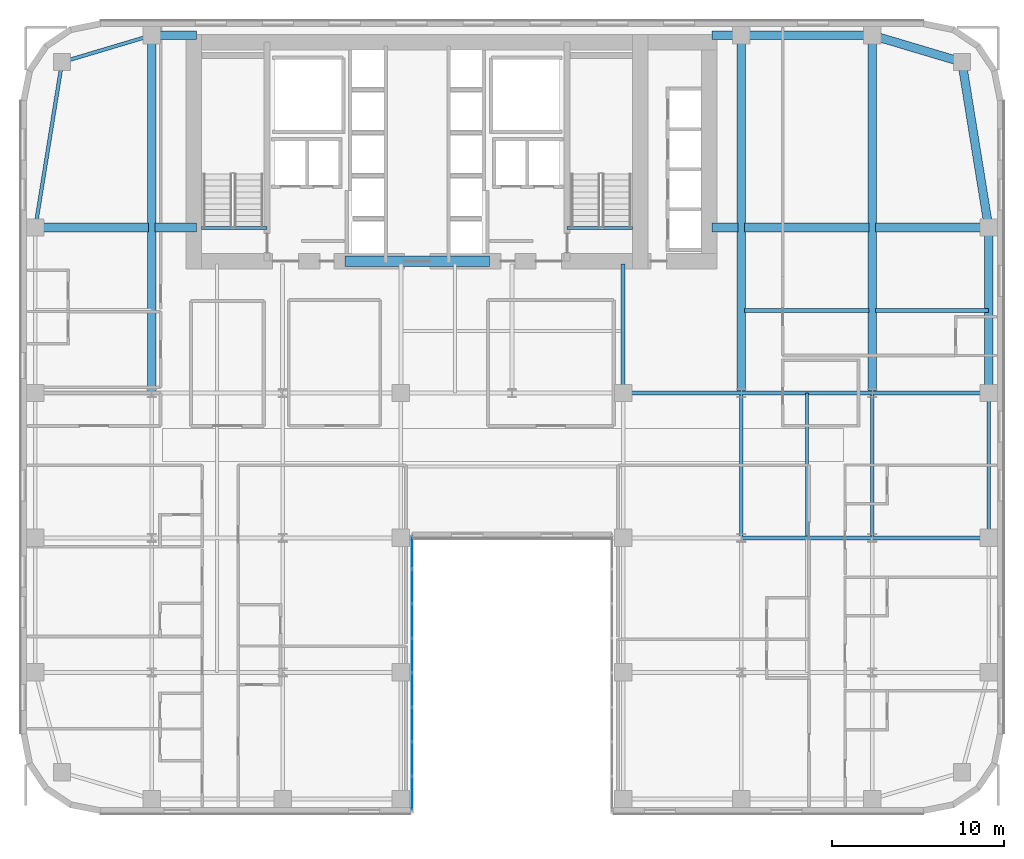
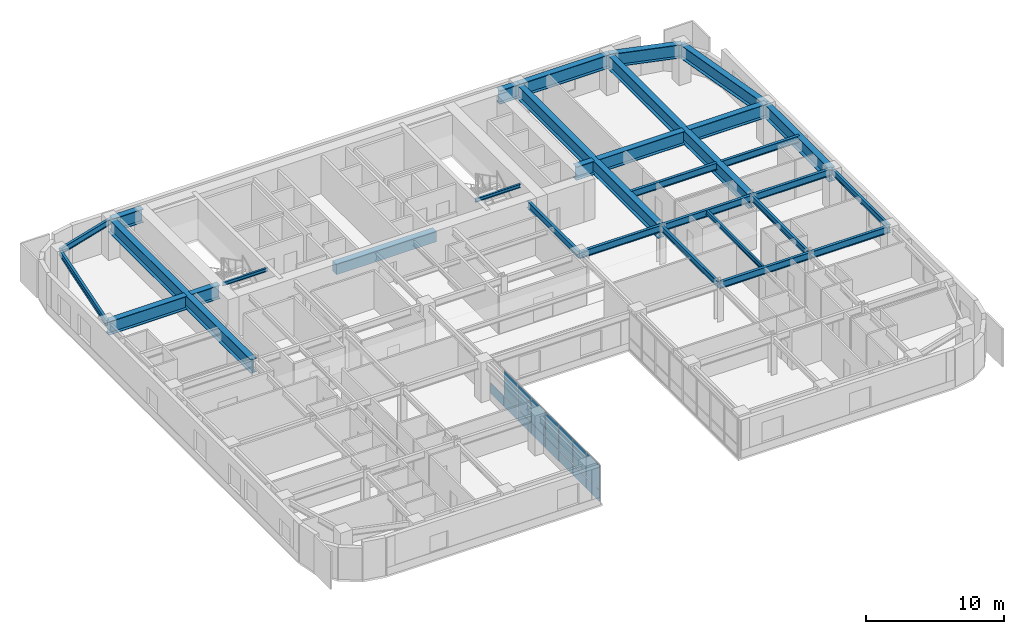
# One storey, part 12 of 25: 31 beams, 15 plates, 1 element without a shape of its own.
"""IFC4 building model written with IfcOpenShell, lengths in metres."""

from ifc_helpers import new_model, si_unit, direction, frame, origin, origin_2d, place, context, subcontext, project, spatial, rectangle, i_section, extrude, source, transform, mapped, material, layer, layer_set, material_profile, profile_set, type_object, type_shapes, element, aggregate, save


model = new_model("IFC4")

# Units and contexts
model_context = context("Model", 3, precision=1e-05, world=origin(), true_north=direction((0.0, 1.0)))
body_context = subcontext(model_context, "Body", "Model", "MODEL_VIEW")
ifc_project = project(units=[si_unit("LENGTHUNIT", "METRE"), si_unit("AREAUNIT", "SQUARE_METRE"), si_unit("VOLUMEUNIT", "CUBIC_METRE"), si_unit("PLANEANGLEUNIT", "RADIAN"), si_unit("MASSUNIT", "GRAM", prefix="KILO")], contexts=[model_context])

# Site, building, storey
site_placement = place(None, origin())
site = spatial("IfcSite", under=ifc_project, at=site_placement, CompositionType="ELEMENT")
building_placement = place(site_placement, origin())
building = spatial("IfcBuilding", under=site, at=building_placement, Name="Tolvann Quenvar Hotel", CompositionType="ELEMENT")
storey_placement = place(building_placement, frame((0.0, 0.0, 60.39990234375)))
storey = spatial("IfcBuildingStorey", under=building, at=storey_placement, Name="L14", CompositionType="ELEMENT", Elevation=60.39990234375)

# Beams
ifc_material_1 = material(Name="Concrete N50 (50 MPa)", Category="concrete")
ifc_material_profile_1 = material_profile(ifc_material_1, rectangle(XDim=0.60009765625, YDim=0.89990234375, at=origin_2d()), Name="RC600x900")
ifc_profile_set_1 = profile_set([ifc_material_profile_1], Name="Concrete N50 (50 MPa)")
beam_type_1 = type_object("IfcBeamType", Name="BM_LINT_RC600x900", PredefinedType="LINTEL", material=ifc_profile_set_1)
shared_shape_1 = source(origin(), body_context, "Body", "SweptSolid", [
    extrude(rectangle(XDim=0.60009765625, YDim=0.89990234375, at=origin_2d()), origin(), (0.0, 0.0, 1.0), 8.39990234375),
])
type_shapes(beam_type_1, [shared_shape_1])
beam_1_placement = place(storey_placement, frame((18.800048828125, 32.050048828125, 2.920166015625), z_axis=(1.0, 0.0, 0.0), x_axis=(0.0, 1.0, 0.0)))
element("IfcBeam", 1, at=beam_1_placement, inside=storey, type_object=beam_type_1, Name="Core Coupling Lintel Beam (L14)", PredefinedType="LINTEL", context=body_context, shape_type="MappedRepresentation", body=[
    mapped(shared_shape_1, transform((0.0, 0.0, 0.0), x_axis=(1.0, 0.0, 0.0), y_axis=(0.0, 1.0, 0.0), z_axis=(0.0, 0.0, 1.0), scale=1.0)),
])
ifc_material_2 = material(Name="Steel Grade 350", Category="steel")
ifc_material_profile_2 = material_profile(ifc_material_2, i_section(OverallWidth=0.5, OverallDepth=1.199951171875, WebThickness=0.01611328125, FlangeThickness=0.0400390625, at=origin_2d()), Name="1200WB455")
ifc_profile_set_2 = profile_set([ifc_material_profile_2], Name="Steel Grade 350")
beam_type_2 = type_object("IfcBeamType", Name="BM_TG_1200WB455", PredefinedType="USERDEFINED", material=ifc_profile_set_2)
shared_shape_2 = source(origin(), body_context, "Body", "SweptSolid", [
    extrude(i_section(OverallWidth=0.5, OverallDepth=1.199951171875, WebThickness=0.01611328125, FlangeThickness=0.0400390625, at=origin_2d()), origin(), (0.0, 0.0, 1.0), 7.599853515625),
])
beam_2_placement = place(storey_placement, frame((49.39990234375, 45.14990234375, 2.77001953125), z_axis=(-1.0, 0.0, 0.0), x_axis=(0.0, -1.0, 0.0)))
element("IfcBeam", 2, at=beam_2_placement, inside=storey, type_object=beam_type_2, Name="BM-L14-FLK-E4", ObjectType="TRANSFER GIRDER", PredefinedType="USERDEFINED", context=body_context, shape_type="MappedRepresentation", body=[
    mapped(shared_shape_2, transform((0.0, 0.0, 0.0), x_axis=(1.0, 0.0, 0.0), y_axis=(0.0, 1.0, 0.0), z_axis=(0.0, 0.0, 1.0), scale=1.0)),
])
shared_shape_3 = source(origin(), body_context, "Body", "SweptSolid", [
    extrude(i_section(OverallWidth=0.5, OverallDepth=1.199951171875, WebThickness=0.01611328125, FlangeThickness=0.0400390625, at=origin_2d()), origin(), (0.0, 0.0, 1.0), 9.60009765625),
])
beam_3_placement = place(storey_placement, frame((56.14990234375, 24.39990234375, 2.77001953125), z_axis=(0.0, 1.0, 0.0), x_axis=(-1.0, 0.0, 0.0)))
element("IfcBeam", 3, at=beam_3_placement, inside=storey, type_object=beam_type_2, Name="BM-L14-FLK-E1", ObjectType="TRANSFER GIRDER", PredefinedType="USERDEFINED", context=body_context, shape_type="MappedRepresentation", body=[
    mapped(shared_shape_3, transform((0.0, 0.0, 0.0), x_axis=(1.0, 0.0, 0.0), y_axis=(0.0, 1.0, 0.0), z_axis=(0.0, 0.0, 1.0), scale=1.0)),
])
ifc_material_profile_3 = material_profile(ifc_material_2, i_section(OverallWidth=0.208984375, OverallDepth=0.528076171875, WebThickness=0.009521484375, FlangeThickness=0.01318359375, FilletRadius=0.013916015625, at=origin_2d()), Name="530UB82")
ifc_profile_set_3 = profile_set([ifc_material_profile_3], Name="Steel Grade 350")
beam_type_3 = type_object("IfcBeamType", Name="BM_SPAND_530UB82", PredefinedType="SPANDREL", material=ifc_profile_set_3)
shared_shape_4 = source(origin(), body_context, "Body", "SweptSolid", [
    extrude(i_section(OverallWidth=0.208984375, OverallDepth=0.528076171875, WebThickness=0.009521484375, FlangeThickness=0.01318359375, FilletRadius=0.013916015625, at=origin_2d()), origin(), (0.0, 0.0, 1.0), 5.42626953125),
])
beam_4_placement = place(storey_placement, frame((2.39990234375, 43.60009765625, 3.106201171875), z_axis=(0.958344815522, 0.285613750654, 0.0), x_axis=(-0.285613750654, 0.958344815522, 0.0)))
element("IfcBeam", 4, at=beam_4_placement, inside=storey, type_object=beam_type_3, Name="BM-L14-FLK-W3", PredefinedType="SPANDREL", context=body_context, shape_type="MappedRepresentation", body=[
    mapped(shared_shape_4, transform((0.0, 0.0, 0.0), x_axis=(1.0, 0.0, 0.0), y_axis=(0.0, 1.0, 0.0), z_axis=(0.0, 0.0, 1.0), scale=1.0)),
])
ifc_material_profile_4 = material_profile(ifc_material_2, i_section(OverallWidth=0.22900390625, OverallDepth=0.612060546875, WebThickness=0.011962890625, FlangeThickness=0.01953125, FilletRadius=0.013916015625, at=origin_2d()), Name="610UB125")
ifc_profile_set_4 = profile_set([ifc_material_profile_4], Name="Steel Grade 350")
beam_type_4 = type_object("IfcBeamType", Name="BM_GIRD_610UB125", PredefinedType="BEAM", material=ifc_profile_set_4)
shared_shape_5 = source(origin(), body_context, "Body", "SweptSolid", [
    extrude(i_section(OverallWidth=0.22900390625, OverallDepth=0.612060546875, WebThickness=0.011962890625, FlangeThickness=0.01953125, FilletRadius=0.013916015625, at=origin_2d()), origin(), (0.0, 0.0, 1.0), 6.75),
])
for number, where, z_axis, x_axis, name in (
    (5, (49.39990234375, 16.0, 3.064208984375), (1.0, 0.0, 0.0), (0.0, 1.0, 0.0), "BM-L14-EW-4-I4-J4"),
    (6, (49.39990234375, 24.39990234375, 3.064208984375), (1.0, 0.0, 0.0), (0.0, 1.0, 0.0), "BM-L14-EW-5-I5-J5"),
):
    element("IfcBeam", number, at=place(storey_placement, frame(where, z_axis=z_axis, x_axis=x_axis)), inside=storey, type_object=beam_type_4, Name=name, PredefinedType="BEAM", context=body_context, shape_type="MappedRepresentation", body=[
        mapped(shared_shape_5, transform((0.0, 0.0, 0.0), x_axis=(1.0, 0.0, 0.0), y_axis=(0.0, 1.0, 0.0), z_axis=(0.0, 0.0, 1.0), scale=1.0)),
    ])
shared_shape_6 = source(origin(), body_context, "Body", "SweptSolid", [
    extrude(i_section(OverallWidth=0.22900390625, OverallDepth=0.612060546875, WebThickness=0.011962890625, FlangeThickness=0.01953125, FilletRadius=0.013916015625, at=origin_2d()), origin(), (0.0, 0.0, 1.0), 7.599853515625),
])
for number, where, z_axis, x_axis, name in (
    (7, (41.800048828125, 16.0, 3.064208984375), (1.0, 0.0, 0.0), (0.0, 1.0, 0.0), "BM-L14-EW-4-H4-I4"),
    (8, (41.800048828125, 24.39990234375, 3.064208984375), (1.0, 0.0, 0.0), (0.0, 1.0, 0.0), "BM-L14-EW-5-H5-I5"),
):
    element("IfcBeam", number, at=place(storey_placement, frame(where, z_axis=z_axis, x_axis=x_axis)), inside=storey, type_object=beam_type_4, Name=name, PredefinedType="BEAM", context=body_context, shape_type="MappedRepresentation", body=[
        mapped(shared_shape_6, transform((0.0, 0.0, 0.0), x_axis=(1.0, 0.0, 0.0), y_axis=(0.0, 1.0, 0.0), z_axis=(0.0, 0.0, 1.0), scale=1.0)),
    ])
shared_shape_7 = source(origin(), body_context, "Body", "SweptSolid", [
    extrude(i_section(OverallWidth=0.22900390625, OverallDepth=0.612060546875, WebThickness=0.011962890625, FlangeThickness=0.01953125, FilletRadius=0.013916015625, at=origin_2d()), origin(), (0.0, 0.0, 1.0), 6.85009765625),
])
beam_5_placement = place(storey_placement, frame((34.949951171875, 24.39990234375, 3.064208984375), z_axis=(1.0, 0.0, 0.0), x_axis=(0.0, 1.0, 0.0)))
element("IfcBeam", 9, at=beam_5_placement, inside=storey, type_object=beam_type_4, Name="BM-L14-EW-5-F5-H5", PredefinedType="BEAM", context=body_context, shape_type="MappedRepresentation", body=[
    mapped(shared_shape_7, transform((0.0, 0.0, 0.0), x_axis=(1.0, 0.0, 0.0), y_axis=(0.0, 1.0, 0.0), z_axis=(0.0, 0.0, 1.0), scale=1.0)),
])
shared_shape_8 = source(origin(), body_context, "Body", "SweptSolid", [
    extrude(i_section(OverallWidth=0.208984375, OverallDepth=0.528076171875, WebThickness=0.009521484375, FlangeThickness=0.01318359375, FilletRadius=0.013916015625, at=origin_2d()), origin(), (0.0, 0.0, 1.0), 8.39990234375),
])
beam_6_placement = place(storey_placement, frame((56.14990234375, 16.0, 3.106201171875), z_axis=(0.0, 1.0, 0.0), x_axis=(-1.0, 0.0, 0.0)))
element("IfcBeam", 10, at=beam_6_placement, inside=storey, type_object=beam_type_3, Name="BM-L14-NS-J4-J5", PredefinedType="SPANDREL", context=body_context, shape_type="MappedRepresentation", body=[
    mapped(shared_shape_8, transform((0.0, 0.0, 0.0), x_axis=(1.0, 0.0, 0.0), y_axis=(0.0, 1.0, 0.0), z_axis=(0.0, 0.0, 1.0), scale=1.0)),
])
ifc_material_profile_5 = material_profile(ifc_material_2, i_section(OverallWidth=0.208984375, OverallDepth=0.532958984375, WebThickness=0.01025390625, FlangeThickness=0.015625, FilletRadius=0.013916015625, at=origin_2d()), Name="530UB92")
ifc_profile_set_5 = profile_set([ifc_material_profile_5], Name="Steel Grade 350")
beam_type_5 = type_object("IfcBeamType", Name="BM_GIRD_530UB92", PredefinedType="BEAM", material=ifc_profile_set_5)
shared_shape_9 = source(origin(), body_context, "Body", "SweptSolid", [
    extrude(i_section(OverallWidth=0.208984375, OverallDepth=0.532958984375, WebThickness=0.01025390625, FlangeThickness=0.015625, FilletRadius=0.013916015625, at=origin_2d()), origin(), (0.0, 0.0, 1.0), 8.39990234375),
])
type_shapes(beam_type_5, [shared_shape_9])
for number, where, z_axis, x_axis, name in (
    (11, (41.800048828125, 16.0, 3.103515625), (0.0, 1.0, 0.0), (-1.0, 0.0, 0.0), "BM-L14-NS-H4-H5"),
    (12, (49.39990234375, 16.0, 3.103515625), (0.0, 1.0, 0.0), (-1.0, 0.0, 0.0), "BM-L14-NS-I4-I5"),
):
    element("IfcBeam", number, at=place(storey_placement, frame(where, z_axis=z_axis, x_axis=x_axis)), inside=storey, type_object=beam_type_5, Name=name, PredefinedType="BEAM", context=body_context, shape_type="MappedRepresentation", body=[
        mapped(shared_shape_9, transform((0.0, 0.0, 0.0), x_axis=(1.0, 0.0, 0.0), y_axis=(0.0, 1.0, 0.0), z_axis=(0.0, 0.0, 1.0), scale=1.0)),
    ])
shared_shape_10 = source(origin(), body_context, "Body", "SweptSolid", [
    extrude(i_section(OverallWidth=0.22900390625, OverallDepth=0.612060546875, WebThickness=0.011962890625, FlangeThickness=0.01953125, FilletRadius=0.013916015625, at=origin_2d()), origin(), (0.0, 0.0, 1.0), 7.5),
])
beam_7_placement = place(storey_placement, frame((34.949951171875, 24.39990234375, 3.064208984375), z_axis=(0.0, 1.0, 0.0), x_axis=(-1.0, 0.0, 0.0)))
element("IfcBeam", 13, at=beam_7_placement, inside=storey, type_object=beam_type_4, Name="BM-L14-CORE-F5", PredefinedType="BEAM", context=body_context, shape_type="MappedRepresentation", body=[
    mapped(shared_shape_10, transform((0.0, 0.0, 0.0), x_axis=(1.0, 0.0, 0.0), y_axis=(0.0, 1.0, 0.0), z_axis=(0.0, 0.0, 1.0), scale=1.0)),
])
shared_shape_11 = source(origin(), body_context, "Body", "SweptSolid", [
    extrude(i_section(OverallWidth=0.208984375, OverallDepth=0.528076171875, WebThickness=0.009521484375, FlangeThickness=0.01318359375, FilletRadius=0.013916015625, at=origin_2d()), origin(), (0.0, 0.0, 1.0), 9.724365234375),
])
type_shapes(beam_type_3, [shared_shape_4, shared_shape_8, shared_shape_11])
beam_8_placement = place(storey_placement, frame((0.85009765625, 34.0, 3.106201171875), z_axis=(0.159372939192, 0.987218449105, 0.0), x_axis=(-0.987218449105, 0.159372939192, 0.0)))
element("IfcBeam", 14, at=beam_8_placement, inside=storey, type_object=beam_type_3, Name="BM-L14-FLK-W2", PredefinedType="SPANDREL", context=body_context, shape_type="MappedRepresentation", body=[
    mapped(shared_shape_11, transform((0.0, 0.0, 0.0), x_axis=(1.0, 0.0, 0.0), y_axis=(0.0, 1.0, 0.0), z_axis=(0.0, 0.0, 1.0), scale=1.0)),
])
shared_shape_12 = source(origin(), body_context, "Body", "SweptSolid", [
    extrude(i_section(OverallWidth=0.5, OverallDepth=1.199951171875, WebThickness=0.01611328125, FlangeThickness=0.0400390625, at=origin_2d()), origin(), (0.0, 0.0, 1.0), 20.75),
])
for number, where, z_axis, x_axis, name in (
    (15, (7.60009765625, 24.39990234375, 2.77001953125), (0.0, 1.0, 0.0), (-1.0, 0.0, 0.0), "BM-L14-FLK-WC"),
    (16, (41.800048828125, 24.39990234375, 2.77001953125), (0.0, 1.0, 0.0), (-1.0, 0.0, 0.0), "BM-L14-FLK-EH"),
    (17, (49.39990234375, 24.39990234375, 2.77001953125), (0.0, 1.0, 0.0), (-1.0, 0.0, 0.0), "BM-L14-FLK-EI"),
):
    element("IfcBeam", number, at=place(storey_placement, frame(where, z_axis=z_axis, x_axis=x_axis)), inside=storey, type_object=beam_type_2, Name=name, ObjectType="TRANSFER GIRDER", PredefinedType="USERDEFINED", context=body_context, shape_type="MappedRepresentation", body=[
        mapped(shared_shape_12, transform((0.0, 0.0, 0.0), x_axis=(1.0, 0.0, 0.0), y_axis=(0.0, 1.0, 0.0), z_axis=(0.0, 0.0, 1.0), scale=1.0)),
    ])
shared_shape_13 = source(origin(), body_context, "Body", "SweptSolid", [
    extrude(i_section(OverallWidth=0.5, OverallDepth=1.199951171875, WebThickness=0.01611328125, FlangeThickness=0.0400390625, at=origin_2d()), origin(), (0.0, 0.0, 1.0), 6.56982421875),
])
for number, where, z_axis, x_axis, name in (
    (18, (0.85009765625, 34.0, 2.77001953125), (1.0, 0.0, 0.0), (0.0, 1.0, 0.0), "BM-L14-CTW-MID1"),
    (19, (49.580078125, 34.0, 2.77001953125), (1.0, 0.0, 0.0), (0.0, 1.0, 0.0), "BM-L14-CTE-JD6C"),
):
    element("IfcBeam", number, at=place(storey_placement, frame(where, z_axis=z_axis, x_axis=x_axis)), inside=storey, type_object=beam_type_2, Name=name, ObjectType="TRANSFER GIRDER", PredefinedType="USERDEFINED", context=body_context, shape_type="MappedRepresentation", body=[
        mapped(shared_shape_13, transform((0.0, 0.0, 0.0), x_axis=(1.0, 0.0, 0.0), y_axis=(0.0, 1.0, 0.0), z_axis=(0.0, 0.0, 1.0), scale=1.0)),
    ])
shared_shape_14 = source(origin(), body_context, "Body", "SweptSolid", [
    extrude(i_section(OverallWidth=0.5, OverallDepth=1.199951171875, WebThickness=0.01611328125, FlangeThickness=0.0400390625, at=origin_2d()), origin(), (0.0, 0.0, 1.0), 2.419921875),
])
beam_9_placement = place(storey_placement, frame((7.780029296875, 34.0, 2.77001953125), z_axis=(1.0, 0.0, 0.0), x_axis=(0.0, 1.0, 0.0)))
element("IfcBeam", 20, at=beam_9_placement, inside=storey, type_object=beam_type_2, Name="BM-L14-CTW-MID2", ObjectType="TRANSFER GIRDER", PredefinedType="USERDEFINED", context=body_context, shape_type="MappedRepresentation", body=[
    mapped(shared_shape_14, transform((0.0, 0.0, 0.0), x_axis=(1.0, 0.0, 0.0), y_axis=(0.0, 1.0, 0.0), z_axis=(0.0, 0.0, 1.0), scale=1.0)),
])
shared_shape_15 = source(origin(), body_context, "Body", "SweptSolid", [
    extrude(i_section(OverallWidth=0.5, OverallDepth=1.199951171875, WebThickness=0.01611328125, FlangeThickness=0.0400390625, at=origin_2d()), origin(), (0.0, 0.0, 1.0), 2.599853515625),
])
beam_10_placement = place(storey_placement, frame((7.60009765625, 45.14990234375, 2.77001953125), z_axis=(1.0, 0.0, 0.0), x_axis=(0.0, 1.0, 0.0)))
element("IfcBeam", 21, at=beam_10_placement, inside=storey, type_object=beam_type_2, Name="BM-L14-CTW-CN", ObjectType="TRANSFER GIRDER", PredefinedType="USERDEFINED", context=body_context, shape_type="MappedRepresentation", body=[
    mapped(shared_shape_15, transform((0.0, 0.0, 0.0), x_axis=(1.0, 0.0, 0.0), y_axis=(0.0, 1.0, 0.0), z_axis=(0.0, 0.0, 1.0), scale=1.0)),
])
shared_shape_16 = source(origin(), body_context, "Body", "SweptSolid", [
    extrude(i_section(OverallWidth=0.5, OverallDepth=1.199951171875, WebThickness=0.01611328125, FlangeThickness=0.0400390625, at=origin_2d()), origin(), (0.0, 0.0, 1.0), 9.724365234375),
])
beam_11_placement = place(storey_placement, frame((56.14990234375, 34.0, 2.77001953125), z_axis=(-0.159372939192, 0.987218449105, 0.0), x_axis=(-0.987218449105, -0.159372939192, 0.0)))
element("IfcBeam", 22, at=beam_11_placement, inside=storey, type_object=beam_type_2, Name="BM-L14-FLK-E2", ObjectType="TRANSFER GIRDER", PredefinedType="USERDEFINED", context=body_context, shape_type="MappedRepresentation", body=[
    mapped(shared_shape_16, transform((0.0, 0.0, 0.0), x_axis=(1.0, 0.0, 0.0), y_axis=(0.0, 1.0, 0.0), z_axis=(0.0, 0.0, 1.0), scale=1.0)),
])
shared_shape_17 = source(origin(), body_context, "Body", "SweptSolid", [
    extrude(i_section(OverallWidth=0.5, OverallDepth=1.199951171875, WebThickness=0.01611328125, FlangeThickness=0.0400390625, at=origin_2d()), origin(), (0.0, 0.0, 1.0), 5.42626953125),
])
beam_12_placement = place(storey_placement, frame((54.60009765625, 43.60009765625, 2.77001953125), z_axis=(-0.958344815522, 0.285613750654, 0.0), x_axis=(-0.285613750654, -0.958344815522, 0.0)))
element("IfcBeam", 23, at=beam_12_placement, inside=storey, type_object=beam_type_2, Name="BM-L14-FLK-E3", ObjectType="TRANSFER GIRDER", PredefinedType="USERDEFINED", context=body_context, shape_type="MappedRepresentation", body=[
    mapped(shared_shape_17, transform((0.0, 0.0, 0.0), x_axis=(1.0, 0.0, 0.0), y_axis=(0.0, 1.0, 0.0), z_axis=(0.0, 0.0, 1.0), scale=1.0)),
])
shared_shape_18 = source(origin(), body_context, "Body", "SweptSolid", [
    extrude(i_section(OverallWidth=0.5, OverallDepth=1.199951171875, WebThickness=0.01611328125, FlangeThickness=0.0400390625, at=origin_2d()), origin(), (0.0, 0.0, 1.0), 1.699951171875),
])
beam_13_placement = place(storey_placement, frame((40.10009765625, 45.14990234375, 2.77001953125), z_axis=(1.0, 0.0, 0.0), x_axis=(0.0, 1.0, 0.0)))
element("IfcBeam", 24, at=beam_13_placement, inside=storey, type_object=beam_type_2, Name="BM-L14-CTE-HN", ObjectType="TRANSFER GIRDER", PredefinedType="USERDEFINED", context=body_context, shape_type="MappedRepresentation", body=[
    mapped(shared_shape_18, transform((0.0, 0.0, 0.0), x_axis=(1.0, 0.0, 0.0), y_axis=(0.0, 1.0, 0.0), z_axis=(0.0, 0.0, 1.0), scale=1.0)),
])
shared_shape_19 = source(origin(), body_context, "Body", "SweptSolid", [
    extrude(i_section(OverallWidth=0.5, OverallDepth=1.199951171875, WebThickness=0.01611328125, FlangeThickness=0.0400390625, at=origin_2d()), origin(), (0.0, 0.0, 1.0), 1.52001953125),
])
beam_14_placement = place(storey_placement, frame((40.10009765625, 34.0, 2.77001953125), z_axis=(1.0, 0.0, 0.0), x_axis=(0.0, 1.0, 0.0)))
element("IfcBeam", 25, at=beam_14_placement, inside=storey, type_object=beam_type_2, Name="BM-L14-CTE-JD6A", ObjectType="TRANSFER GIRDER", PredefinedType="USERDEFINED", context=body_context, shape_type="MappedRepresentation", body=[
    mapped(shared_shape_19, transform((0.0, 0.0, 0.0), x_axis=(1.0, 0.0, 0.0), y_axis=(0.0, 1.0, 0.0), z_axis=(0.0, 0.0, 1.0), scale=1.0)),
])
shared_shape_20 = source(origin(), body_context, "Body", "SweptSolid", [
    extrude(i_section(OverallWidth=0.5, OverallDepth=1.199951171875, WebThickness=0.01611328125, FlangeThickness=0.0400390625, at=origin_2d()), origin(), (0.0, 0.0, 1.0), 7.239990234375),
])
type_shapes(beam_type_2, [shared_shape_2, shared_shape_3, shared_shape_12, shared_shape_13, shared_shape_14, shared_shape_15, shared_shape_16, shared_shape_17, shared_shape_18, shared_shape_19, shared_shape_20])
beam_15_placement = place(storey_placement, frame((41.97998046875, 34.0, 2.77001953125), z_axis=(1.0, 0.0, 0.0), x_axis=(0.0, 1.0, 0.0)))
element("IfcBeam", 26, at=beam_15_placement, inside=storey, type_object=beam_type_2, Name="BM-L14-CTE-JD6B", ObjectType="TRANSFER GIRDER", PredefinedType="USERDEFINED", context=body_context, shape_type="MappedRepresentation", body=[
    mapped(shared_shape_20, transform((0.0, 0.0, 0.0), x_axis=(1.0, 0.0, 0.0), y_axis=(0.0, 1.0, 0.0), z_axis=(0.0, 0.0, 1.0), scale=1.0)),
])
shared_shape_21 = source(origin(), body_context, "Body", "SweptSolid", [
    extrude(i_section(OverallWidth=0.22900390625, OverallDepth=0.612060546875, WebThickness=0.011962890625, FlangeThickness=0.01953125, FilletRadius=0.013916015625, at=origin_2d()), origin(), (0.0, 0.0, 1.0), 7.239990234375),
])
beam_16_placement = place(storey_placement, frame((41.97998046875, 29.199951171875, 3.064208984375), z_axis=(1.0, 0.0, 0.0), x_axis=(0.0, 1.0, 0.0)))
element("IfcBeam", 27, at=beam_16_placement, inside=storey, type_object=beam_type_4, Name="BM-L14-EW-HI29", PredefinedType="BEAM", context=body_context, shape_type="MappedRepresentation", body=[
    mapped(shared_shape_21, transform((0.0, 0.0, 0.0), x_axis=(1.0, 0.0, 0.0), y_axis=(0.0, 1.0, 0.0), z_axis=(0.0, 0.0, 1.0), scale=1.0)),
])
shared_shape_22 = source(origin(), body_context, "Body", "SweptSolid", [
    extrude(i_section(OverallWidth=0.22900390625, OverallDepth=0.612060546875, WebThickness=0.011962890625, FlangeThickness=0.01953125, FilletRadius=0.013916015625, at=origin_2d()), origin(), (0.0, 0.0, 1.0), 6.56982421875),
])
type_shapes(beam_type_4, [shared_shape_5, shared_shape_6, shared_shape_7, shared_shape_10, shared_shape_21, shared_shape_22])
beam_17_placement = place(storey_placement, frame((49.580078125, 29.199951171875, 3.064208984375), z_axis=(1.0, 0.0, 0.0), x_axis=(0.0, 1.0, 0.0)))
element("IfcBeam", 28, at=beam_17_placement, inside=storey, type_object=beam_type_4, Name="BM-L14-EW-IJ29", PredefinedType="BEAM", context=body_context, shape_type="MappedRepresentation", body=[
    mapped(shared_shape_22, transform((0.0, 0.0, 0.0), x_axis=(1.0, 0.0, 0.0), y_axis=(0.0, 1.0, 0.0), z_axis=(0.0, 0.0, 1.0), scale=1.0)),
])
ifc_material_profile_6 = material_profile(ifc_material_2, i_section(OverallWidth=0.177978515625, OverallDepth=0.406005859375, WebThickness=0.0078125, FlangeThickness=0.0126953125, FilletRadius=0.011474609375, at=origin_2d()), Name="410UB60")
ifc_profile_set_6 = profile_set([ifc_material_profile_6], Name="Steel Grade 350")
beam_type_6 = type_object("IfcBeamType", Name="BM_JOIST_410UB60", PredefinedType="JOIST", material=ifc_profile_set_6)
shared_shape_23 = source(origin(), body_context, "Body", "SweptSolid", [
    extrude(i_section(OverallWidth=0.177978515625, OverallDepth=0.406005859375, WebThickness=0.0078125, FlangeThickness=0.0126953125, FilletRadius=0.011474609375, at=origin_2d()), origin(), (0.0, 0.0, 1.0), 8.29150390625),
])
type_shapes(beam_type_6, [shared_shape_23])
beam_18_placement = place(storey_placement, frame((45.60009765625, 16.1083984375, 3.1669921875), z_axis=(0.0, 1.0, 0.0), x_axis=(-1.0, 0.0, 0.0)))
element("IfcBeam", 29, at=beam_18_placement, inside=storey, type_object=beam_type_6, Name="BJ-L14-456-160", PredefinedType="JOIST", context=body_context, shape_type="MappedRepresentation", body=[
    mapped(shared_shape_23, transform((0.0, 0.0, 0.0), x_axis=(1.0, 0.0, 0.0), y_axis=(0.0, 1.0, 0.0), z_axis=(0.0, 0.0, 1.0), scale=1.0)),
])
ifc_material_profile_7 = material_profile(ifc_material_2, i_section(OverallWidth=0.166015625, OverallDepth=0.306884765625, WebThickness=0.006591796875, FlangeThickness=0.01171875, FilletRadius=0.011474609375, at=origin_2d()), Name="310UB46")
ifc_profile_set_7 = profile_set([ifc_material_profile_7], Name="Steel Grade 350")
beam_type_7 = type_object("IfcBeamType", Name="BM_JOIST_310UB46", PredefinedType="JOIST", material=ifc_profile_set_7)
shared_shape_24 = source(origin(), body_context, "Body", "SweptSolid", [
    extrude(i_section(OverallWidth=0.166015625, OverallDepth=0.306884765625, WebThickness=0.006591796875, FlangeThickness=0.01171875, FilletRadius=0.011474609375, at=origin_2d()), origin(), (0.0, 0.0, 1.0), 3.800048828125),
])
type_shapes(beam_type_7, [shared_shape_24])
for number, where, z_axis, x_axis, name in (
    (30, (10.5, 33.97998046875, 3.216552734375), (1.0, 0.0, 0.0), (0.0, 1.0, 0.0), "BM-HDR-STC1-L15"),
    (31, (31.699951171875, 33.97998046875, 3.216552734375), (1.0, 0.0, 0.0), (0.0, 1.0, 0.0), "BM-HDR-STC2-L15"),
):
    element("IfcBeam", number, at=place(storey_placement, frame(where, z_axis=z_axis, x_axis=x_axis)), inside=storey, type_object=beam_type_7, Name=name, PredefinedType="JOIST", context=body_context, shape_type="MappedRepresentation", body=[
        mapped(shared_shape_24, transform((0.0, 0.0, 0.0), x_axis=(1.0, 0.0, 0.0), y_axis=(0.0, 1.0, 0.0), z_axis=(0.0, 0.0, 1.0), scale=1.0)),
    ])

# Curtain wall, plates
ifc_material_3 = material(Name="Thermally broken anodised architectural aluminium 6063-T6 and laminated low-E glass", Category="aluminium")
ifc_layer_1 = layer(ifc_material_3, 0.179931640625)
ifc_layer_set_1 = layer_set([ifc_layer_1], Name="Thermally broken anodised architectural aluminium 6063-T6 and laminated low-E glass")
curtain_wall_type = type_object("IfcCurtainWallType", Name="CW_SYS_SLOT_03", PredefinedType="USERDEFINED", material=ifc_layer_set_1)
curtain_wall_placement = place(storey_placement, origin())
curtain_wall = element("IfcCurtainWall", 32, at=curtain_wall_placement, inside=storey, type_object=curtain_wall_type, Name="Curtain Wall CW-SLOT-03 (CWR-L14-E05)", ObjectType="UNITISED CURTAIN WALL", PredefinedType="USERDEFINED")
ifc_material_4 = material(Name="Low-iron laminated double glazing with solar-control coating", Category="glass")
ifc_layer_2 = layer(ifc_material_4, 0.028076171875)
ifc_layer_set_2 = layer_set([ifc_layer_2], Name="Low-iron laminated double glazing with solar-control coating")
plate_type = type_object("IfcPlateType", Name="CW_PAN_VISION_28", PredefinedType="CURTAIN_PANEL", material=ifc_layer_set_2)
shared_shape_25 = source(origin(), body_context, "Body", "SweptSolid", [
    extrude(rectangle(XDim=1.89501953125, YDim=0.028076171875, at=origin_2d()), origin(), (0.0, 0.0, 1.0), 0.9599609375),
])
plate_1_placement = place(storey_placement, frame((22.7099609375, 1.1923828125, 0.06005859375), z_axis=(0.0, 0.0, 1.0), x_axis=(0.0, 1.0, 0.0)))
plate_1 = element("IfcPlate", 33, at=plate_1_placement, type_object=plate_type, Name="CW-SLOT-03 panel 1.1", PredefinedType="CURTAIN_PANEL", context=body_context, shape_type="MappedRepresentation", body=[
    mapped(shared_shape_25, transform((0.0, 0.0, 0.0), x_axis=(1.0, 0.0, 0.0), y_axis=(0.0, 1.0, 0.0), z_axis=(0.0, 0.0, 1.0), scale=1.0)),
])
plate_2_placement = place(storey_placement, frame((22.7099609375, 15.157470703125, 0.06005859375), z_axis=(0.0, 0.0, 1.0), x_axis=(0.0, 1.0, 0.0)))
plate_2 = element("IfcPlate", 34, at=plate_2_placement, type_object=plate_type, Name="CW-SLOT-03 panel 8.1", PredefinedType="CURTAIN_PANEL", context=body_context, shape_type="MappedRepresentation", body=[
    mapped(shared_shape_25, transform((0.0, 0.0, 0.0), x_axis=(1.0, 0.0, 0.0), y_axis=(0.0, 1.0, 0.0), z_axis=(0.0, 0.0, 1.0), scale=1.0)),
])
shared_shape_26 = source(origin(), body_context, "Body", "SweptSolid", [
    extrude(rectangle(XDim=1.89501953125, YDim=0.028076171875, at=origin_2d()), origin(), (0.0, 0.0, 1.0), 2.22998046875),
])
plate_3_placement = place(storey_placement, frame((22.7099609375, 1.1923828125, 1.080078125), z_axis=(0.0, 0.0, 1.0), x_axis=(0.0, 1.0, 0.0)))
plate_3 = element("IfcPlate", 35, at=plate_3_placement, type_object=plate_type, Name="CW-SLOT-03 panel 1.2", PredefinedType="CURTAIN_PANEL", context=body_context, shape_type="MappedRepresentation", body=[
    mapped(shared_shape_26, transform((0.0, 0.0, 0.0), x_axis=(1.0, 0.0, 0.0), y_axis=(0.0, 1.0, 0.0), z_axis=(0.0, 0.0, 1.0), scale=1.0)),
])
shared_shape_27 = source(origin(), body_context, "Body", "SweptSolid", [
    extrude(rectangle(XDim=1.929931640625, YDim=0.028076171875, at=origin_2d()), origin(), (0.0, 0.0, 1.0), 0.9599609375),
])
plate_4_placement = place(storey_placement, frame((22.7099609375, 3.175048828125, 0.06005859375), z_axis=(0.0, 0.0, 1.0), x_axis=(0.0, 1.0, 0.0)))
plate_4 = element("IfcPlate", 36, at=plate_4_placement, type_object=plate_type, Name="CW-SLOT-03 panel 2.1", PredefinedType="CURTAIN_PANEL", context=body_context, shape_type="MappedRepresentation", body=[
    mapped(shared_shape_27, transform((0.0, 0.0, 0.0), x_axis=(1.0, 0.0, 0.0), y_axis=(0.0, 1.0, 0.0), z_axis=(0.0, 0.0, 1.0), scale=1.0)),
])
plate_5_placement = place(storey_placement, frame((22.7099609375, 5.175048828125, 0.06005859375), z_axis=(0.0, 0.0, 1.0), x_axis=(0.0, 1.0, 0.0)))
plate_5 = element("IfcPlate", 37, at=plate_5_placement, type_object=plate_type, Name="CW-SLOT-03 panel 3.1", PredefinedType="CURTAIN_PANEL", context=body_context, shape_type="MappedRepresentation", body=[
    mapped(shared_shape_27, transform((0.0, 0.0, 0.0), x_axis=(1.0, 0.0, 0.0), y_axis=(0.0, 1.0, 0.0), z_axis=(0.0, 0.0, 1.0), scale=1.0)),
])
plate_6_placement = place(storey_placement, frame((22.7099609375, 7.175048828125, 0.06005859375), z_axis=(0.0, 0.0, 1.0), x_axis=(0.0, 1.0, 0.0)))
plate_6 = element("IfcPlate", 38, at=plate_6_placement, type_object=plate_type, Name="CW-SLOT-03 panel 4.1", PredefinedType="CURTAIN_PANEL", context=body_context, shape_type="MappedRepresentation", body=[
    mapped(shared_shape_27, transform((0.0, 0.0, 0.0), x_axis=(1.0, 0.0, 0.0), y_axis=(0.0, 1.0, 0.0), z_axis=(0.0, 0.0, 1.0), scale=1.0)),
])
plate_7_placement = place(storey_placement, frame((22.7099609375, 9.175048828125, 0.06005859375), z_axis=(0.0, 0.0, 1.0), x_axis=(0.0, 1.0, 0.0)))
plate_7 = element("IfcPlate", 39, at=plate_7_placement, type_object=plate_type, Name="CW-SLOT-03 panel 5.1", PredefinedType="CURTAIN_PANEL", context=body_context, shape_type="MappedRepresentation", body=[
    mapped(shared_shape_27, transform((0.0, 0.0, 0.0), x_axis=(1.0, 0.0, 0.0), y_axis=(0.0, 1.0, 0.0), z_axis=(0.0, 0.0, 1.0), scale=1.0)),
])
plate_8_placement = place(storey_placement, frame((22.7099609375, 11.175048828125, 0.06005859375), z_axis=(0.0, 0.0, 1.0), x_axis=(0.0, 1.0, 0.0)))
plate_8 = element("IfcPlate", 40, at=plate_8_placement, type_object=plate_type, Name="CW-SLOT-03 panel 6.1", PredefinedType="CURTAIN_PANEL", context=body_context, shape_type="MappedRepresentation", body=[
    mapped(shared_shape_27, transform((0.0, 0.0, 0.0), x_axis=(1.0, 0.0, 0.0), y_axis=(0.0, 1.0, 0.0), z_axis=(0.0, 0.0, 1.0), scale=1.0)),
])
plate_9_placement = place(storey_placement, frame((22.7099609375, 13.175048828125, 0.06005859375), z_axis=(0.0, 0.0, 1.0), x_axis=(0.0, 1.0, 0.0)))
plate_9 = element("IfcPlate", 41, at=plate_9_placement, type_object=plate_type, Name="CW-SLOT-03 panel 7.1", PredefinedType="CURTAIN_PANEL", context=body_context, shape_type="MappedRepresentation", body=[
    mapped(shared_shape_27, transform((0.0, 0.0, 0.0), x_axis=(1.0, 0.0, 0.0), y_axis=(0.0, 1.0, 0.0), z_axis=(0.0, 0.0, 1.0), scale=1.0)),
])
shared_shape_28 = source(origin(), body_context, "Body", "SweptSolid", [
    extrude(rectangle(XDim=1.929931640625, YDim=0.028076171875, at=origin_2d()), origin(), (0.0, 0.0, 1.0), 2.22998046875),
])
type_shapes(plate_type, [shared_shape_25, shared_shape_26, shared_shape_27, shared_shape_28])
plate_10_placement = place(storey_placement, frame((22.7099609375, 3.175048828125, 1.080078125), z_axis=(0.0, 0.0, 1.0), x_axis=(0.0, 1.0, 0.0)))
plate_10 = element("IfcPlate", 42, at=plate_10_placement, type_object=plate_type, Name="CW-SLOT-03 panel 2.2", PredefinedType="CURTAIN_PANEL", context=body_context, shape_type="MappedRepresentation", body=[
    mapped(shared_shape_28, transform((0.0, 0.0, 0.0), x_axis=(1.0, 0.0, 0.0), y_axis=(0.0, 1.0, 0.0), z_axis=(0.0, 0.0, 1.0), scale=1.0)),
])
plate_11_placement = place(storey_placement, frame((22.7099609375, 5.175048828125, 1.080078125), z_axis=(0.0, 0.0, 1.0), x_axis=(0.0, 1.0, 0.0)))
plate_11 = element("IfcPlate", 43, at=plate_11_placement, type_object=plate_type, Name="CW-SLOT-03 panel 3.2", PredefinedType="CURTAIN_PANEL", context=body_context, shape_type="MappedRepresentation", body=[
    mapped(shared_shape_28, transform((0.0, 0.0, 0.0), x_axis=(1.0, 0.0, 0.0), y_axis=(0.0, 1.0, 0.0), z_axis=(0.0, 0.0, 1.0), scale=1.0)),
])
plate_12_placement = place(storey_placement, frame((22.7099609375, 7.175048828125, 1.080078125), z_axis=(0.0, 0.0, 1.0), x_axis=(0.0, 1.0, 0.0)))
plate_12 = element("IfcPlate", 44, at=plate_12_placement, type_object=plate_type, Name="CW-SLOT-03 panel 4.2", PredefinedType="CURTAIN_PANEL", context=body_context, shape_type="MappedRepresentation", body=[
    mapped(shared_shape_28, transform((0.0, 0.0, 0.0), x_axis=(1.0, 0.0, 0.0), y_axis=(0.0, 1.0, 0.0), z_axis=(0.0, 0.0, 1.0), scale=1.0)),
])
plate_13_placement = place(storey_placement, frame((22.7099609375, 9.175048828125, 1.080078125), z_axis=(0.0, 0.0, 1.0), x_axis=(0.0, 1.0, 0.0)))
plate_13 = element("IfcPlate", 45, at=plate_13_placement, type_object=plate_type, Name="CW-SLOT-03 panel 5.2", PredefinedType="CURTAIN_PANEL", context=body_context, shape_type="MappedRepresentation", body=[
    mapped(shared_shape_28, transform((0.0, 0.0, 0.0), x_axis=(1.0, 0.0, 0.0), y_axis=(0.0, 1.0, 0.0), z_axis=(0.0, 0.0, 1.0), scale=1.0)),
])
plate_14_placement = place(storey_placement, frame((22.7099609375, 11.175048828125, 1.080078125), z_axis=(0.0, 0.0, 1.0), x_axis=(0.0, 1.0, 0.0)))
plate_14 = element("IfcPlate", 46, at=plate_14_placement, type_object=plate_type, Name="CW-SLOT-03 panel 6.2", PredefinedType="CURTAIN_PANEL", context=body_context, shape_type="MappedRepresentation", body=[
    mapped(shared_shape_28, transform((0.0, 0.0, 0.0), x_axis=(1.0, 0.0, 0.0), y_axis=(0.0, 1.0, 0.0), z_axis=(0.0, 0.0, 1.0), scale=1.0)),
])
plate_15_placement = place(storey_placement, frame((22.7099609375, 13.175048828125, 1.080078125), z_axis=(0.0, 0.0, 1.0), x_axis=(0.0, 1.0, 0.0)))
plate_15 = element("IfcPlate", 47, at=plate_15_placement, type_object=plate_type, Name="CW-SLOT-03 panel 7.2", PredefinedType="CURTAIN_PANEL", context=body_context, shape_type="MappedRepresentation", body=[
    mapped(shared_shape_28, transform((0.0, 0.0, 0.0), x_axis=(1.0, 0.0, 0.0), y_axis=(0.0, 1.0, 0.0), z_axis=(0.0, 0.0, 1.0), scale=1.0)),
])
aggregate(curtain_wall, [plate_1, plate_3, plate_4, plate_10, plate_5, plate_11, plate_6, plate_12, plate_7, plate_13, plate_8, plate_14, plate_9, plate_15, plate_2])

save(model, "model.ifc")
